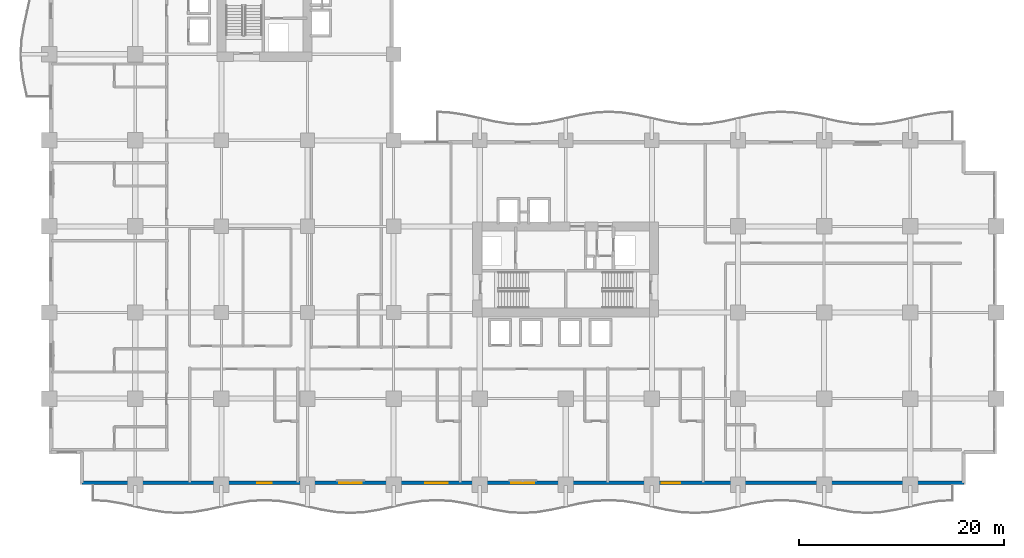
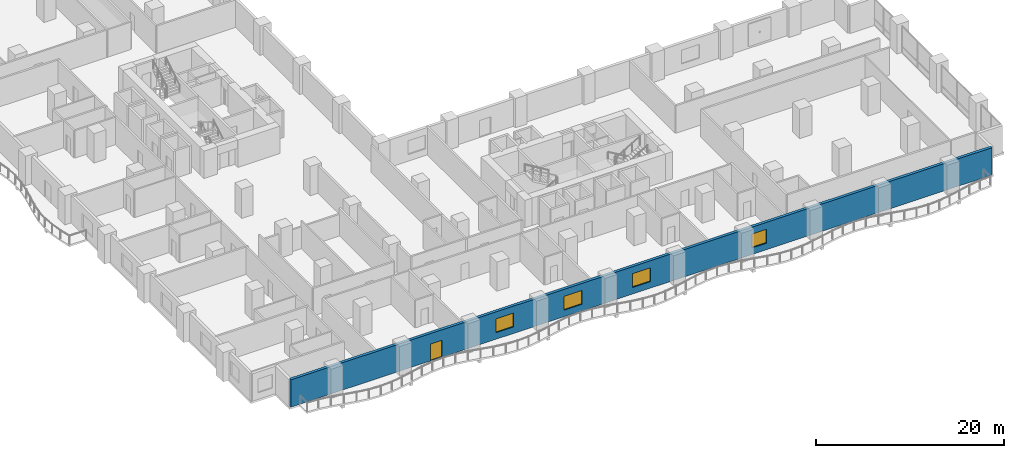
# One storey, part 11 of 27: 4 windows, 1 door, 1 wall, 5 openings.
"""IFC4 building model written with IfcOpenShell, lengths in metres."""

from ifc_helpers import new_model, si_unit, direction, frame, frame_2d, origin, place, context, subcontext, project, spatial, rectangle, extrude, material, layer, layer_set, type_object, element, fill, save


model = new_model("IFC4")

# Units and contexts
model_context = context("Model", 3, precision=1e-05, world=origin(), true_north=direction((0.0, 1.0)))
body_context = subcontext(model_context, "Body", "Model", "MODEL_VIEW")
ifc_project = project(units=[si_unit("LENGTHUNIT", "METRE"), si_unit("AREAUNIT", "SQUARE_METRE"), si_unit("VOLUMEUNIT", "CUBIC_METRE"), si_unit("PLANEANGLEUNIT", "RADIAN"), si_unit("MASSUNIT", "GRAM", prefix="KILO")], contexts=[model_context])

# Site, building, storey
site_placement = place(None, origin())
site = spatial("IfcSite", under=ifc_project, at=site_placement, CompositionType="ELEMENT")
building_placement = place(site_placement, origin())
building = spatial("IfcBuilding", under=site, at=building_placement, Name="Koriwani Terraces Tower", CompositionType="ELEMENT")
storey_placement = place(building_placement, frame((0.0, 0.0, 70.0)))
storey = spatial("IfcBuildingStorey", under=building, at=storey_placement, Name="L16", CompositionType="ELEMENT", Elevation=70.0)

# Wall, openings, door, windows
ifc_material_1 = material(Name="Concrete C50/60", Category="concrete")
ifc_layer = layer(ifc_material_1, 0.35009765625, Name="Concrete C50/60")
ifc_layer_set = layer_set([ifc_layer], Name="Concrete C50/60")
wall_type = type_object("IfcWallType", Name="WALL_EXT_BRUTALIST_350", PredefinedType="STANDARD", material=ifc_layer_set)
wall_placement = place(storey_placement, frame((89.22509765625, 0.175048828125, 0.0), z_axis=(0.0, 0.0, 1.0), x_axis=(-1.0, 0.0, 0.0)))
wall = element("IfcWall", 1, at=wall_placement, inside=storey, type_object=wall_type, Name="L16 Fair-Faced Brutalist Exterior Wall (S)", PredefinedType="STANDARD", context=body_context, shape_type="SweptSolid", body=[
    extrude(rectangle(XDim=86.050048828125, YDim=0.35009765625, at=frame_2d((43.02490234375, 0.0))), origin(), (0.0, 0.0, 1.0), 3.550048828125),
])
opening_1_placement = place(wall_placement, frame((67.52490234375, 0.0, 0.0)))
opening_1 = element("IfcOpeningElement", 2, at=opening_1_placement, cuts=wall, Name="Opening D-09", PredefinedType="OPENING", context=body_context, shape_type="SweptSolid", body=[
    extrude(rectangle(XDim=1.39990234375, YDim=2.199951171875, at=frame_2d((0.699951171875, 1.10009765625))), frame((0.0, 0.18505859375, 0.0), z_axis=(0.0, -1.0, 0.0), x_axis=(1.0, 0.0, 0.0)), (0.0, 0.0, 1.0), 0.3701171875),
])
opening_2_placement = place(wall_placement, frame((58.72509765625, 0.0, 0.85009765625)))
opening_2 = element("IfcOpeningElement", 3, at=opening_2_placement, cuts=wall, Name="Opening W-01", PredefinedType="OPENING", context=body_context, shape_type="SweptSolid", body=[
    extrude(rectangle(XDim=2.199951171875, YDim=1.800048828125, at=frame_2d((1.10009765625, 0.89990234375))), frame((0.0, 0.18505859375, 0.0), z_axis=(0.0, -1.0, 0.0), x_axis=(1.0, 0.0, 0.0)), (0.0, 0.0, 1.0), 0.3701171875),
])
opening_3_placement = place(wall_placement, frame((50.324951171875, 0.0, 0.85009765625)))
opening_3 = element("IfcOpeningElement", 4, at=opening_3_placement, cuts=wall, Name="Opening W-01", PredefinedType="OPENING", context=body_context, shape_type="SweptSolid", body=[
    extrude(rectangle(XDim=2.199951171875, YDim=1.800048828125, at=frame_2d((1.10009765625, 0.89990234375))), frame((0.0, 0.18505859375, 0.0), z_axis=(0.0, -1.0, 0.0), x_axis=(1.0, 0.0, 0.0)), (0.0, 0.0, 1.0), 0.3701171875),
])
opening_4_placement = place(wall_placement, frame((41.925048828125, 0.0, 0.85009765625)))
opening_4 = element("IfcOpeningElement", 5, at=opening_4_placement, cuts=wall, Name="Opening W-01", PredefinedType="OPENING", context=body_context, shape_type="SweptSolid", body=[
    extrude(rectangle(XDim=2.199951171875, YDim=1.800048828125, at=frame_2d((1.10009765625, 0.89990234375))), frame((0.0, 0.18505859375, 0.0), z_axis=(0.0, -1.0, 0.0), x_axis=(1.0, 0.0, 0.0)), (0.0, 0.0, 1.0), 0.3701171875),
])
opening_5_placement = place(wall_placement, frame((27.675048828125, 0.0, 0.85009765625)))
opening_5 = element("IfcOpeningElement", 6, at=opening_5_placement, cuts=wall, Name="Opening W-04", PredefinedType="OPENING", context=body_context, shape_type="SweptSolid", body=[
    extrude(rectangle(XDim=1.800048828125, YDim=1.800048828125, at=frame_2d((0.89990234375, 0.89990234375))), frame((0.0, 0.18505859375, 0.0), z_axis=(0.0, -1.0, 0.0), x_axis=(1.0, 0.0, 0.0)), (0.0, 0.0, 1.0), 0.3701171875),
])
ifc_material_2 = material(Name="Anodised Bronze Aluminium", Category="aluminium")
door_type = type_object("IfcDoorType", Name="DOOR_BALCONY_GLAZED_1400X2200", OperationType="NOTDEFINED", PredefinedType="DOOR", material=ifc_material_2)
door_placement = place(opening_1_placement, origin())
door = element("IfcDoor", 7, at=door_placement, inside=storey, type_object=door_type, Name="L16 South Balcony Glazed Door", OperationType="SINGLE_SWING_LEFT", OverallHeight=2.199951171875, OverallWidth=1.39990234375, PredefinedType="DOOR", context=body_context, shape_type="SweptSolid", body=[
    extrude(rectangle(XDim=1.39990234375, YDim=2.199951171875, at=frame_2d((0.699951171875, 1.10009765625))), frame((0.0, 0.02490234375, 0.0), z_axis=(0.0, -1.0, 0.0), x_axis=(1.0, 0.0, 0.0)), (0.0, 0.0, 1.0), 0.050048828125),
])
fill(opening_1, door)
ifc_material_3 = material(Name="Tempered Laminated Low-E Glass", Category="glass")
window_type_1 = type_object("IfcWindowType", Name="WIN_HOTEL_STD_2200X1800", PartitioningType="DOUBLE_PANEL_VERTICAL", PredefinedType="WINDOW", material=ifc_material_3)
window_1_placement = place(opening_2_placement, origin())
window_1 = element("IfcWindow", 8, at=window_1_placement, inside=storey, type_object=window_type_1, Name="L16 Exterior Window (S-9)", OverallHeight=1.800048828125, OverallWidth=2.199951171875, PartitioningType="SINGLE_PANEL", PredefinedType="WINDOW", context=body_context, shape_type="SweptSolid", body=[
    extrude(rectangle(XDim=2.199951171875, YDim=1.800048828125, at=frame_2d((1.10009765625, 0.89990234375))), frame((0.0, 0.030029296875, 0.0), z_axis=(0.0, -1.0, 0.0), x_axis=(1.0, 0.0, 0.0)), (0.0, 0.0, 1.0), 0.06005859375),
])
fill(opening_2, window_1)
window_2_placement = place(opening_3_placement, origin())
window_2 = element("IfcWindow", 9, at=window_2_placement, inside=storey, type_object=window_type_1, Name="L16 Exterior Window (S-12)", OverallHeight=1.800048828125, OverallWidth=2.199951171875, PartitioningType="SINGLE_PANEL", PredefinedType="WINDOW", context=body_context, shape_type="SweptSolid", body=[
    extrude(rectangle(XDim=2.199951171875, YDim=1.800048828125, at=frame_2d((1.10009765625, 0.89990234375))), frame((0.0, 0.030029296875, 0.0), z_axis=(0.0, -1.0, 0.0), x_axis=(1.0, 0.0, 0.0)), (0.0, 0.0, 1.0), 0.06005859375),
])
fill(opening_3, window_2)
window_3_placement = place(opening_4_placement, origin())
window_3 = element("IfcWindow", 10, at=window_3_placement, inside=storey, type_object=window_type_1, Name="L16 Exterior Window (S-15)", OverallHeight=1.800048828125, OverallWidth=2.199951171875, PartitioningType="SINGLE_PANEL", PredefinedType="WINDOW", context=body_context, shape_type="SweptSolid", body=[
    extrude(rectangle(XDim=2.199951171875, YDim=1.800048828125, at=frame_2d((1.10009765625, 0.89990234375))), frame((0.0, 0.030029296875, 0.0), z_axis=(0.0, -1.0, 0.0), x_axis=(1.0, 0.0, 0.0)), (0.0, 0.0, 1.0), 0.06005859375),
])
fill(opening_4, window_3)
window_type_2 = type_object("IfcWindowType", Name="WIN_RES_BED_1800X1800", PartitioningType="DOUBLE_PANEL_VERTICAL", PredefinedType="WINDOW", material=ifc_material_3)
window_4_placement = place(opening_5_placement, origin())
window_4 = element("IfcWindow", 11, at=window_4_placement, inside=storey, type_object=window_type_2, Name="L16 Exterior Window (S-R55)", OverallHeight=1.800048828125, OverallWidth=1.800048828125, PartitioningType="SINGLE_PANEL", PredefinedType="WINDOW", context=body_context, shape_type="SweptSolid", body=[
    extrude(rectangle(XDim=1.800048828125, YDim=1.800048828125, at=frame_2d((0.89990234375, 0.89990234375))), frame((0.0, 0.030029296875, 0.0), z_axis=(0.0, -1.0, 0.0), x_axis=(1.0, 0.0, 0.0)), (0.0, 0.0, 1.0), 0.06005859375),
])
fill(opening_5, window_4)

save(model, "model.ifc")
